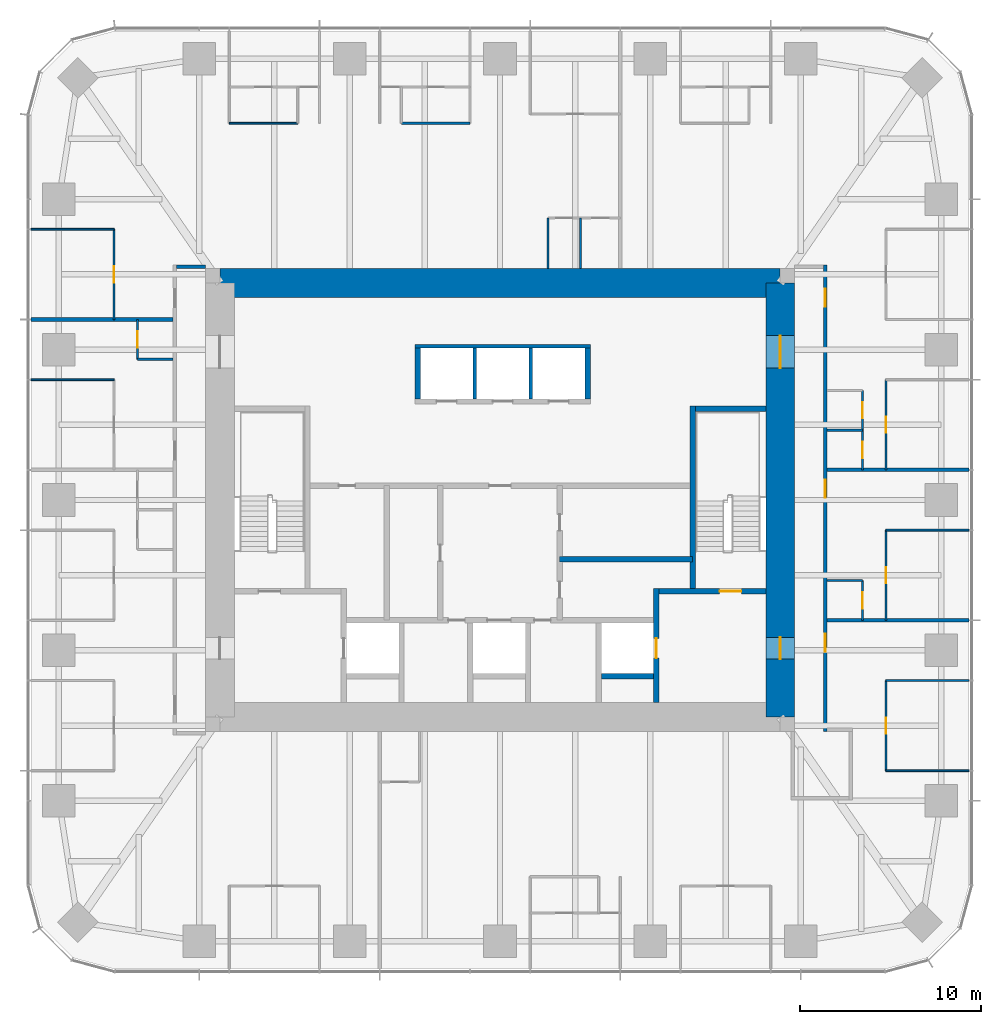
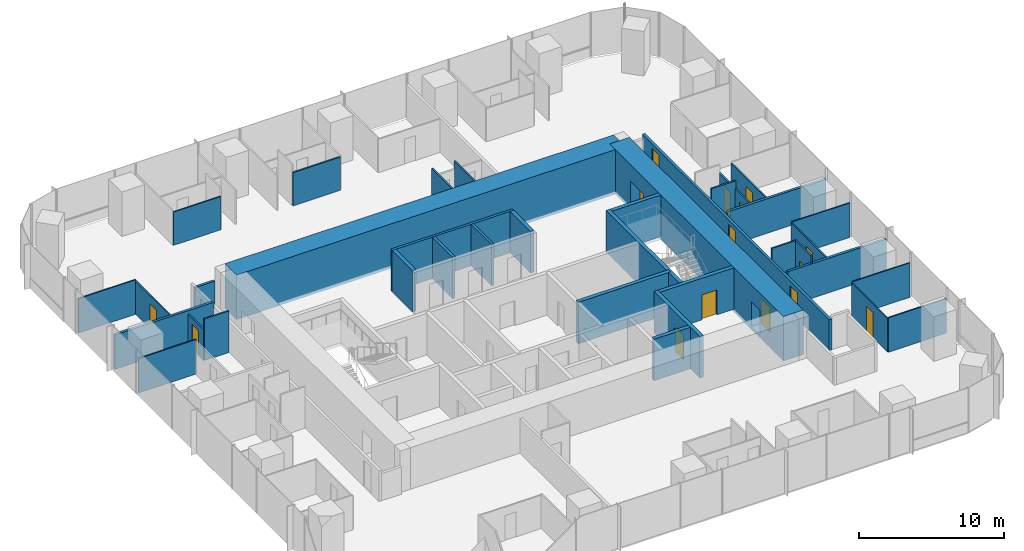
# One storey, part 10 of 12: 37 walls, 15 doors, 15 openings.
"""IFC4 building model written with IfcOpenShell, lengths in metres."""

from ifc_helpers import new_model, si_unit, direction, frame, frame_2d, origin, place, context, subcontext, project, spatial, rectangle, extrude, material, layer, layer_set, type_object, element, fill, save


model = new_model("IFC4")

# Units and contexts
model_context = context("Model", 3, precision=1e-05, world=origin(), true_north=direction((0.0, 1.0)))
body_context = subcontext(model_context, "Body", "Model", "MODEL_VIEW")
ifc_project = project(units=[si_unit("LENGTHUNIT", "METRE"), si_unit("AREAUNIT", "SQUARE_METRE"), si_unit("VOLUMEUNIT", "CUBIC_METRE"), si_unit("PLANEANGLEUNIT", "RADIAN"), si_unit("MASSUNIT", "GRAM", prefix="KILO")], contexts=[model_context])

# Site, building, storey
site_placement = place(None, origin())
site = spatial("IfcSite", under=ifc_project, at=site_placement, CompositionType="ELEMENT")
building_placement = place(site_placement, origin())
building = spatial("IfcBuilding", under=site, at=building_placement, Name="Khuree Lantern Residences", CompositionType="ELEMENT")
storey_placement = place(building_placement, frame((0.0, 0.0, 237.0)))
storey = spatial("IfcBuildingStorey", under=building, at=storey_placement, Name="L59", CompositionType="ELEMENT", Elevation=237.0)

# Wall, opening, door
ifc_material_1 = material(Name="Moisture-resistant gypsum board on steel studs", Category="steel")
ifc_layer_1 = layer(ifc_material_1, 0.125)
ifc_layer_set_1 = layer_set([ifc_layer_1], Name="BATHROOM WALL BTW125")
wall_type_1 = type_object("IfcWallType", Name="BATHROOM WALL BTW125", PredefinedType="PARTITIONING", material=ifc_layer_set_1)
wall_1_placement = place(storey_placement, frame((20.050048828125, -6.656005859375, 0.0), z_axis=(0.0, 0.0, 1.0), x_axis=(0.0, 1.0, 0.0)))
wall_1 = element("IfcWall", 1, at=wall_1_placement, inside=storey, type_object=wall_type_1, Name="L59 BATHROOM WALL 01", PredefinedType="PARTITIONING", context=body_context, shape_type="SweptSolid", body=[
    extrude(rectangle(XDim=2.199951171875, YDim=0.125, at=frame_2d((1.10009765625, 0.0))), origin(), (0.0, 0.0, 1.0), 3.5),
])
opening_1_placement = place(wall_1_placement, frame((0.64990234375, 0.0, 0.0)))
opening_1 = element("IfcOpeningElement", 2, at=opening_1_placement, cuts=wall_1, Name="Opening 59-021", PredefinedType="OPENING", context=body_context, shape_type="SweptSolid", body=[
    extrude(rectangle(XDim=0.89990234375, YDim=2.10009765625, at=frame_2d((0.449951171875, 1.050048828125))), frame((0.0, 0.072509765625, 0.0), z_axis=(0.0, -1.0, 0.0), x_axis=(1.0, 0.0, 0.0)), (0.0, 0.0, 1.0), 0.14501953125),
])
ifc_material_2 = material(Name="Timber door leaf in hardwood frame", Category="wood")
door_type_1 = type_object("IfcDoorType", Name="BATHROOM DOOR 900X2100", OperationType="SINGLE_SWING_LEFT", PredefinedType="DOOR", material=ifc_material_2)
door_1_placement = place(opening_1_placement, origin())
door_1 = element("IfcDoor", 3, at=door_1_placement, inside=storey, type_object=door_type_1, Name="Bathroom door 59-021", OperationType="SINGLE_SWING_LEFT", OverallHeight=2.10009765625, OverallWidth=0.89990234375, PredefinedType="DOOR", context=body_context, shape_type="SweptSolid", body=[
    extrude(rectangle(XDim=0.89990234375, YDim=2.10009765625, at=frame_2d((0.449951171875, 1.050048828125))), frame((0.0, 0.02490234375, 0.0), z_axis=(0.0, -1.0, 0.0), x_axis=(1.0, 0.0, 0.0)), (0.0, 0.0, 1.0), 0.050048828125),
])
fill(opening_1, door_1)

# Wall
wall_2_placement = place(storey_placement, frame((18.10009765625, -4.4560546875, 0.0), z_axis=(0.0, 0.0, 1.0), x_axis=(1.0, 0.0, 0.0)))
element("IfcWall", 4, at=wall_2_placement, inside=storey, type_object=wall_type_1, Name="L59 BATHROOM WALL 01", PredefinedType="PARTITIONING", context=body_context, shape_type="SweptSolid", body=[
    extrude(rectangle(XDim=1.949951171875, YDim=0.125, at=frame_2d((0.97509765625, 0.0))), origin(), (0.0, 0.0, 1.0), 3.5),
])

# Wall, openings, doors
wall_3_placement = place(storey_placement, frame((20.050048828125, 1.6640625, 0.0), z_axis=(0.0, 0.0, 1.0), x_axis=(0.0, 1.0, 0.0)))
wall_3 = element("IfcWall", 5, at=wall_3_placement, inside=storey, type_object=wall_type_1, Name="L59 BATHROOM WALL 02", PredefinedType="PARTITIONING", context=body_context, shape_type="SweptSolid", body=[
    extrude(rectangle(XDim=4.39990234375, YDim=0.125, at=frame_2d((2.199951171875, 0.0))), origin(), (0.0, 0.0, 1.0), 2.81005859375),
])
opening_2_placement = place(wall_3_placement, frame((0.64990234375, 0.0, 0.0)))
opening_2 = element("IfcOpeningElement", 6, at=opening_2_placement, cuts=wall_3, Name="Opening 59-027", PredefinedType="OPENING", context=body_context, shape_type="SweptSolid", body=[
    extrude(rectangle(XDim=0.89990234375, YDim=2.10009765625, at=frame_2d((0.449951171875, 1.050048828125))), frame((0.0, 0.072509765625, 0.0), z_axis=(0.0, -1.0, 0.0), x_axis=(1.0, 0.0, 0.0)), (0.0, 0.0, 1.0), 0.14501953125),
])
opening_3_placement = place(wall_3_placement, frame((2.85009765625, 0.0, 0.0)))
opening_3 = element("IfcOpeningElement", 7, at=opening_3_placement, cuts=wall_3, Name="Opening 59-028", PredefinedType="OPENING", context=body_context, shape_type="SweptSolid", body=[
    extrude(rectangle(XDim=0.89990234375, YDim=2.10009765625, at=frame_2d((0.449951171875, 1.050048828125))), frame((0.0, 0.072509765625, 0.0), z_axis=(0.0, -1.0, 0.0), x_axis=(1.0, 0.0, 0.0)), (0.0, 0.0, 1.0), 0.14501953125),
])
door_2_placement = place(opening_2_placement, origin())
door_2 = element("IfcDoor", 8, at=door_2_placement, inside=storey, type_object=door_type_1, Name="Bathroom door 59-027", OperationType="SINGLE_SWING_LEFT", OverallHeight=2.10009765625, OverallWidth=0.89990234375, PredefinedType="DOOR", context=body_context, shape_type="SweptSolid", body=[
    extrude(rectangle(XDim=0.89990234375, YDim=2.10009765625, at=frame_2d((0.449951171875, 1.050048828125))), frame((0.0, 0.02490234375, 0.0), z_axis=(0.0, -1.0, 0.0), x_axis=(1.0, 0.0, 0.0)), (0.0, 0.0, 1.0), 0.050048828125),
])
fill(opening_2, door_2)
door_3_placement = place(opening_3_placement, origin())
door_3 = element("IfcDoor", 9, at=door_3_placement, inside=storey, type_object=door_type_1, Name="Bathroom door 59-028", OperationType="SINGLE_SWING_LEFT", OverallHeight=2.10009765625, OverallWidth=0.89990234375, PredefinedType="DOOR", context=body_context, shape_type="SweptSolid", body=[
    extrude(rectangle(XDim=0.89990234375, YDim=2.10009765625, at=frame_2d((0.449951171875, 1.050048828125))), frame((0.0, 0.02490234375, 0.0), z_axis=(0.0, -1.0, 0.0), x_axis=(1.0, 0.0, 0.0)), (0.0, 0.0, 1.0), 0.050048828125),
])
fill(opening_3, door_3)

# Walls
wall_4_placement = place(storey_placement, frame((18.10009765625, 3.864013671875, 0.0), z_axis=(0.0, 0.0, 1.0), x_axis=(1.0, 0.0, 0.0)))
element("IfcWall", 10, at=wall_4_placement, inside=storey, type_object=wall_type_1, Name="L59 BATHROOM WALL 02", PredefinedType="PARTITIONING", context=body_context, shape_type="SweptSolid", body=[
    extrude(rectangle(XDim=1.949951171875, YDim=0.125, at=frame_2d((0.97509765625, 0.0))), origin(), (0.0, 0.0, 1.0), 3.5),
])
wall_5_placement = place(storey_placement, frame((-1.6640625, 20.844970703125, 0.0), z_axis=(0.0, 0.0, 1.0), x_axis=(-1.0, 0.0, 0.0)))
element("IfcWall", 11, at=wall_5_placement, inside=storey, type_object=wall_type_1, Name="L59 BATHROOM WALL 03", PredefinedType="PARTITIONING", context=body_context, shape_type="SweptSolid", body=[
    extrude(rectangle(XDim=3.7919921875, YDim=0.125, at=frame_2d((1.89599609375, 0.0))), origin(), (0.0, 0.0, 1.0), 2.81005859375),
])
for number, where, z_axis, x_axis, name in (
    (12, (4.4560546875, 12.800048828125, 0.0), (0.0, 0.0, 1.0), (0.0, 1.0, 0.0), "L59 BATHROOM WALL 03"),
    (13, (2.656005859375, 12.800048828125, 0.0), (0.0, 0.0, 1.0), (0.0, 1.0, 0.0), "L59 BATHROOM WALL 03"),
):
    element("IfcWall", number, at=place(storey_placement, frame(where, z_axis=z_axis, x_axis=x_axis)), inside=storey, type_object=wall_type_1, Name=name, PredefinedType="PARTITIONING", context=body_context, shape_type="SweptSolid", body=[
        extrude(rectangle(XDim=2.800048828125, YDim=0.125, at=frame_2d((1.39990234375, 0.0))), origin(), (0.0, 0.0, 1.0), 3.5),
    ])

# Wall, opening, door
wall_6_placement = place(storey_placement, frame((-20.050048828125, 9.98388671875, 0.0), z_axis=(0.0, 0.0, 1.0), x_axis=(0.0, -1.0, 0.0)))
wall_6 = element("IfcWall", 14, at=wall_6_placement, inside=storey, type_object=wall_type_1, Name="L59 BATHROOM WALL 04", PredefinedType="PARTITIONING", context=body_context, shape_type="SweptSolid", body=[
    extrude(rectangle(XDim=2.199951171875, YDim=0.125, at=frame_2d((1.10009765625, 0.0))), origin(), (0.0, 0.0, 1.0), 2.60009765625),
])
opening_4_placement = place(wall_6_placement, frame((0.64990234375, 0.0, 0.0)))
opening_4 = element("IfcOpeningElement", 15, at=opening_4_placement, cuts=wall_6, Name="Opening 59-040", PredefinedType="OPENING", context=body_context, shape_type="SweptSolid", body=[
    extrude(rectangle(XDim=0.89990234375, YDim=2.10009765625, at=frame_2d((0.449951171875, 1.050048828125))), frame((0.0, 0.072509765625, 0.0), z_axis=(0.0, -1.0, 0.0), x_axis=(1.0, 0.0, 0.0)), (0.0, 0.0, 1.0), 0.14501953125),
])
door_4_placement = place(opening_4_placement, origin())
door_4 = element("IfcDoor", 16, at=door_4_placement, inside=storey, type_object=door_type_1, Name="Bathroom door 59-040", OperationType="SINGLE_SWING_LEFT", OverallHeight=2.10009765625, OverallWidth=0.89990234375, PredefinedType="DOOR", context=body_context, shape_type="SweptSolid", body=[
    extrude(rectangle(XDim=0.89990234375, YDim=2.10009765625, at=frame_2d((0.449951171875, 1.050048828125))), frame((0.0, 0.02490234375, 0.0), z_axis=(0.0, -1.0, 0.0), x_axis=(1.0, 0.0, 0.0)), (0.0, 0.0, 1.0), 0.050048828125),
])
fill(opening_4, door_4)

# Wall
wall_7_placement = place(storey_placement, frame((-18.10009765625, 7.783935546875, 0.0), z_axis=(0.0, 0.0, 1.0), x_axis=(-1.0, 0.0, 0.0)))
element("IfcWall", 17, at=wall_7_placement, inside=storey, type_object=wall_type_1, Name="L59 BATHROOM WALL 04", PredefinedType="PARTITIONING", context=body_context, shape_type="SweptSolid", body=[
    extrude(rectangle(XDim=1.949951171875, YDim=0.125, at=frame_2d((0.97509765625, 0.0))), origin(), (0.0, 0.0, 1.0), 3.5),
])

# Wall, opening, door
ifc_material_3 = material(Name="Dense concrete blockwork", Category="masonry")
ifc_layer_2 = layer(ifc_material_3, 0.300048828125)
ifc_layer_set_2 = layer_set([ifc_layer_2], Name="CORE PARTITION WALL CPW300 EI 120")
wall_type_2 = type_object("IfcWallType", Name="CORE PARTITION WALL CPW300 EI 120", PredefinedType="PARTITIONING", material=ifc_layer_set_2)
wall_8_placement = place(storey_placement, frame((8.64990234375, -11.199951171875, 0.0), z_axis=(0.0, 0.0, 1.0), x_axis=(0.0, 1.0, 0.0)))
wall_8 = element("IfcWall", 18, at=wall_8_placement, inside=storey, type_object=wall_type_2, Name="L59 CORE WALL FL2E", PredefinedType="PARTITIONING", context=body_context, shape_type="SweptSolid", body=[
    extrude(rectangle(XDim=6.300048828125, YDim=0.300048828125, at=frame_2d((3.14990234375, 0.0))), origin(), (0.0, 0.0, 1.0), 3.5),
])
opening_5_placement = place(wall_8_placement, frame((2.449951171875, 0.0, 0.0)))
opening_5 = element("IfcOpeningElement", 19, at=opening_5_placement, cuts=wall_8, Name="Opening 59-008", PredefinedType="OPENING", context=body_context, shape_type="SweptSolid", body=[
    extrude(rectangle(XDim=1.10009765625, YDim=2.10009765625, at=frame_2d((0.550048828125, 1.050048828125))), frame((0.0, 0.16015625, 0.0), z_axis=(0.0, -1.0, 0.0), x_axis=(1.0, 0.0, 0.0)), (0.0, 0.0, 1.0), 0.320068359375),
])
ifc_material_4 = material(Name="Stainless steel lift landing door", Category="steel")
door_type_2 = type_object("IfcDoorType", Name="LIFT LANDING DOOR 1100X2100 E 120", OperationType="DOUBLE_DOOR_SLIDING", PredefinedType="DOOR", material=ifc_material_4)
door_5_placement = place(opening_5_placement, origin())
door_5 = element("IfcDoor", 20, at=door_5_placement, inside=storey, type_object=door_type_2, Name="Landing door FL2 59-008", OperationType="DOUBLE_DOOR_SLIDING", OverallHeight=2.10009765625, OverallWidth=1.10009765625, PredefinedType="DOOR", context=body_context, shape_type="SweptSolid", body=[
    extrude(rectangle(XDim=1.10009765625, YDim=2.10009765625, at=frame_2d((0.550048828125, 1.050048828125))), frame((0.0, 0.02490234375, 0.0), z_axis=(0.0, -1.0, 0.0), x_axis=(1.0, 0.0, 0.0)), (0.0, 0.0, 1.0), 0.050048828125),
])
fill(opening_5, door_5)

# Walls
wall_9_placement = place(storey_placement, frame((5.60009765625, -9.75, 0.0), z_axis=(0.0, 0.0, 1.0), x_axis=(1.0, 0.0, 0.0)))
element("IfcWall", 21, at=wall_9_placement, inside=storey, type_object=wall_type_2, Name="L59 CORE WALL FL2S", PredefinedType="PARTITIONING", context=body_context, shape_type="SweptSolid", body=[
    extrude(rectangle(XDim=2.89990234375, YDim=0.300048828125, at=frame_2d((1.449951171875, 0.0))), origin(), (0.0, 0.0, 1.0), 3.5),
])
for number, where, z_axis, x_axis, name in (
    (22, (-4.550048828125, 5.60009765625, 0.0), (0.0, 0.0, 1.0), (0.0, 1.0, 0.0), "L59 CORE WALL PHW"),
    (23, (4.85009765625, 5.60009765625, 0.0), (0.0, 0.0, 1.0), (0.0, 1.0, 0.0), "L59 CORE WALL PHE"),
):
    element("IfcWall", number, at=place(storey_placement, frame(where, z_axis=z_axis, x_axis=x_axis)), inside=storey, type_object=wall_type_2, Name=name, PredefinedType="PARTITIONING", context=body_context, shape_type="SweptSolid", body=[
        extrude(rectangle(XDim=2.7998046875, YDim=0.300048828125, at=frame_2d((1.39990234375, 0.0))), origin(), (0.0, 0.0, 1.0), 3.5),
    ])
wall_10_placement = place(storey_placement, frame((10.64990234375, -3.2880859375, 0.0), z_axis=(0.0, 0.0, 1.0), x_axis=(-1.0, 0.0, 0.0)))
element("IfcWall", 24, at=wall_10_placement, inside=storey, type_object=wall_type_2, Name="L59 CORE WALL EX", PredefinedType="PARTITIONING", context=body_context, shape_type="SweptSolid", body=[
    extrude(rectangle(XDim=7.349853515625, YDim=0.300048828125, at=frame_2d((3.6748046875, 0.0))), origin(), (0.0, 0.0, 1.0), 3.5),
])
ifc_material_5 = material(Name="Gypsum board on steel studs", Category="steel")
ifc_layer_3 = layer(ifc_material_5, 0.199951171875)
ifc_layer_set_3 = layer_set([ifc_layer_3], Name="CORRIDOR WALL CRW200 EI 60")
wall_type_3 = type_object("IfcWallType", Name="CORRIDOR WALL CRW200 EI 60", PredefinedType="PARTITIONING", material=ifc_layer_set_3)
wall_11_placement = place(storey_placement, frame((-16.300048828125, 12.89990234375, 0.0), z_axis=(0.0, 0.0, 1.0), x_axis=(-1.0, 0.0, 0.0)))
element("IfcWall", 25, at=wall_11_placement, inside=storey, type_object=wall_type_3, Name="L59 WEST CORRIDOR NORTH END WALL", PredefinedType="PARTITIONING", context=body_context, shape_type="SweptSolid", body=[
    extrude(rectangle(XDim=1.599853515625, YDim=0.199951171875, at=frame_2d((0.7998046875, 0.0))), origin(), (0.0, 0.0, 1.0), 2.300048828125),
])

# Wall, openings, doors
wall_12_placement = place(storey_placement, frame((18.0, -12.800048828125, 0.0), z_axis=(0.0, 0.0, 1.0), x_axis=(0.0, 1.0, 0.0)))
wall_12 = element("IfcWall", 26, at=wall_12_placement, inside=storey, type_object=wall_type_3, Name="L59 CORRIDOR WALL EAST 1", PredefinedType="PARTITIONING", context=body_context, shape_type="SweptSolid", body=[
    extrude(rectangle(XDim=25.800048828125, YDim=0.199951171875, at=frame_2d((12.89990234375, 0.0))), origin(), (0.0, 0.0, 1.0), 2.60009765625),
])
opening_6_placement = place(wall_12_placement, frame((12.9140625, 0.0, 0.0)))
opening_6 = element("IfcOpeningElement", 27, at=opening_6_placement, cuts=wall_12, Name="Opening 59-022", PredefinedType="OPENING", context=body_context, shape_type="SweptSolid", body=[
    extrude(rectangle(XDim=1.0, YDim=2.199951171875, at=frame_2d((0.5, 1.10009765625))), frame((0.0, 0.10986328125, 0.0), z_axis=(0.0, -1.0, 0.0), x_axis=(1.0, 0.0, 0.0)), (0.0, 0.0, 1.0), 0.219970703125),
])
opening_7_placement = place(wall_12_placement, frame((23.48388671875, 0.0, 0.0)))
opening_7 = element("IfcOpeningElement", 28, at=opening_7_placement, cuts=wall_12, Name="Opening 59-029", PredefinedType="OPENING", context=body_context, shape_type="SweptSolid", body=[
    extrude(rectangle(XDim=1.0, YDim=2.199951171875, at=frame_2d((0.5, 1.10009765625))), frame((0.0, 0.10986328125, 0.0), z_axis=(0.0, -1.0, 0.0), x_axis=(1.0, 0.0, 0.0)), (0.0, 0.0, 1.0), 0.219970703125),
])
opening_8_placement = place(wall_12_placement, frame((4.39990234375, 0.0, 0.0)))
opening_8 = element("IfcOpeningElement", 29, at=opening_8_placement, cuts=wall_12, Name="Opening 59-053", PredefinedType="OPENING", context=body_context, shape_type="SweptSolid", body=[
    extrude(rectangle(XDim=1.0, YDim=2.199951171875, at=frame_2d((0.5, 1.10009765625))), frame((0.0, 0.10986328125, 0.0), z_axis=(0.0, -1.0, 0.0), x_axis=(1.0, 0.0, 0.0)), (0.0, 0.0, 1.0), 0.219970703125),
])
door_type_3 = type_object("IfcDoorType", Name="APARTMENT ENTRANCE DOOR 1000X2200 EI 30S", OperationType="SINGLE_SWING_LEFT", PredefinedType="DOOR", material=ifc_material_2)
door_6_placement = place(opening_6_placement, origin())
door_6 = element("IfcDoor", 30, at=door_6_placement, inside=storey, type_object=door_type_3, Name="Apartment 01 entrance door 59-022", OperationType="SINGLE_SWING_LEFT", OverallHeight=2.199951171875, OverallWidth=1.0, PredefinedType="DOOR", context=body_context, shape_type="SweptSolid", body=[
    extrude(rectangle(XDim=1.0, YDim=2.199951171875, at=frame_2d((0.5, 1.10009765625))), frame((0.0, 0.02490234375, 0.0), z_axis=(0.0, -1.0, 0.0), x_axis=(1.0, 0.0, 0.0)), (0.0, 0.0, 1.0), 0.050048828125),
])
fill(opening_6, door_6)
door_7_placement = place(opening_8_placement, origin())
door_7 = element("IfcDoor", 31, at=door_7_placement, inside=storey, type_object=door_type_3, Name="Apartment 06 entrance door 59-053", OperationType="SINGLE_SWING_LEFT", OverallHeight=2.199951171875, OverallWidth=1.0, PredefinedType="DOOR", context=body_context, shape_type="SweptSolid", body=[
    extrude(rectangle(XDim=1.0, YDim=2.199951171875, at=frame_2d((0.5, 1.10009765625))), frame((0.0, 0.02490234375, 0.0), z_axis=(0.0, -1.0, 0.0), x_axis=(1.0, 0.0, 0.0)), (0.0, 0.0, 1.0), 0.050048828125),
])
fill(opening_8, door_7)
door_type_4 = type_object("IfcDoorType", Name="APARTMENT ENTRANCE DOOR 1000X2200 EI 30S RIGHT HAND", OperationType="SINGLE_SWING_RIGHT", PredefinedType="DOOR", material=ifc_material_2)
door_8_placement = place(opening_7_placement, origin())
door_8 = element("IfcDoor", 32, at=door_8_placement, inside=storey, type_object=door_type_4, Name="Apartment 02 entrance door 59-029", OperationType="SINGLE_SWING_RIGHT", OverallHeight=2.199951171875, OverallWidth=1.0, PredefinedType="DOOR", context=body_context, shape_type="SweptSolid", body=[
    extrude(rectangle(XDim=1.0, YDim=2.199951171875, at=frame_2d((0.5, 1.10009765625))), frame((0.0, 0.02490234375, 0.0), z_axis=(0.0, -1.0, 0.0), x_axis=(1.0, 0.0, 0.0)), (0.0, 0.0, 1.0), 0.050048828125),
])
fill(opening_7, door_8)

ifc_material_6 = material(Name="Concrete C50/60", Category="concrete")
ifc_layer_4 = layer(ifc_material_6, 1.60009765625)
ifc_layer_set_4 = layer_set([ifc_layer_4], Name="CW1600-C50 CORE WALL C50 1600")
wall_type_4 = type_object("IfcWallType", Name="CW1600-C50 CORE WALL C50 1600", PredefinedType="SHEAR", material=ifc_layer_set_4)
wall_13_placement = place(storey_placement, frame((15.5, -12.0, -0.25), z_axis=(0.0, 0.0, 1.0), x_axis=(0.0, 1.0, 0.0)))
wall_13 = element("IfcWall", 33, at=wall_13_placement, inside=storey, type_object=wall_type_4, Name="Core wall E", PredefinedType="SHEAR", context=body_context, shape_type="SweptSolid", body=[
    extrude(rectangle(XDim=24.0, YDim=1.60009765625, at=frame_2d((12.0, 0.0))), origin(), (0.0, 0.0, 1.0), 3.75),
])
opening_9_placement = place(wall_13_placement, frame((3.199951171875, 0.0, 0.25)))
opening_9 = element("IfcOpeningElement", 34, at=opening_9_placement, cuts=wall_13, Name="Opening 59-005", PredefinedType="OPENING", context=body_context, shape_type="SweptSolid", body=[
    extrude(rectangle(XDim=1.199951171875, YDim=2.10009765625, at=frame_2d((0.60009765625, 1.050048828125))), frame((0.0, 0.81005859375, 0.0), z_axis=(0.0, -1.0, 0.0), x_axis=(1.0, 0.0, 0.0)), (0.0, 0.0, 1.0), 1.6201171875),
])
opening_10_placement = place(wall_13_placement, frame((19.300048828125, 0.0, 0.25)))
opening_10 = element("IfcOpeningElement", 35, at=opening_10_placement, cuts=wall_13, Name="Opening 59-006", PredefinedType="OPENING", context=body_context, shape_type="SweptSolid", body=[
    extrude(rectangle(XDim=1.800048828125, YDim=2.10009765625, at=frame_2d((0.89990234375, 1.050048828125))), frame((0.0, 0.81005859375, 0.0), z_axis=(0.0, -1.0, 0.0), x_axis=(1.0, 0.0, 0.0)), (0.0, 0.0, 1.0), 1.6201171875),
])
ifc_material_7 = material(Name="Steel door leaf in steel frame", Category="steel")
door_type_5 = type_object("IfcDoorType", Name="LOBBY DOOR 1200X2100 EI 120", OperationType="SINGLE_SWING_LEFT", PredefinedType="DOOR", material=ifc_material_7)
door_9_placement = place(opening_9_placement, origin())
door_9 = element("IfcDoor", 36, at=door_9_placement, inside=storey, type_object=door_type_5, Name="Firefighting lobby door 59-005", OperationType="SINGLE_SWING_LEFT", OverallHeight=2.10009765625, OverallWidth=1.199951171875, PredefinedType="DOOR", context=body_context, shape_type="SweptSolid", body=[
    extrude(rectangle(XDim=1.199951171875, YDim=2.10009765625, at=frame_2d((0.60009765625, 1.050048828125))), frame((0.0, 0.02490234375, 0.0), z_axis=(0.0, -1.0, 0.0), x_axis=(1.0, 0.0, 0.0)), (0.0, 0.0, 1.0), 0.050048828125),
])
fill(opening_9, door_9)
door_type_6 = type_object("IfcDoorType", Name="LOBBY DOUBLE DOOR 1800X2100 EI 60", OperationType="DOUBLE_DOOR_SINGLE_SWING", PredefinedType="DOOR", material=ifc_material_7)
door_10_placement = place(opening_10_placement, origin())
door_10 = element("IfcDoor", 37, at=door_10_placement, inside=storey, type_object=door_type_6, Name="Lift lobby door 59-006", OperationType="DOUBLE_DOOR_SINGLE_SWING", OverallHeight=2.10009765625, OverallWidth=1.800048828125, PredefinedType="DOOR", context=body_context, shape_type="SweptSolid", body=[
    extrude(rectangle(XDim=1.800048828125, YDim=2.10009765625, at=frame_2d((0.89990234375, 1.050048828125))), frame((0.0, 0.02490234375, 0.0), z_axis=(0.0, -1.0, 0.0), x_axis=(1.0, 0.0, 0.0)), (0.0, 0.0, 1.0), 0.050048828125),
])
fill(opening_10, door_10)

# Walls
wall_14_placement = place(storey_placement, frame((-15.5, 12.0, -0.25), z_axis=(0.0, 0.0, 1.0), x_axis=(1.0, 0.0, 0.0)))
element("IfcWall", 38, at=wall_14_placement, inside=storey, type_object=wall_type_4, Name="Core wall N", PredefinedType="SHEAR", context=body_context, shape_type="SweptSolid", body=[
    extrude(rectangle(XDim=31.0, YDim=1.60009765625, at=frame_2d((15.5, 0.0))), origin(), (0.0, 0.0, 1.0), 3.75),
])
ifc_layer_5 = layer(ifc_material_5, 0.199951171875)
ifc_layer_set_5 = layer_set([ifc_layer_5], Name="DEMISING WALL DMW200 EI 90")
wall_type_5 = type_object("IfcWallType", Name="DEMISING WALL DMW200 EI 90", PredefinedType="PARTITIONING", material=ifc_layer_set_5)
for number, where, z_axis, x_axis, name in (
    (39, (18.10009765625, -6.656005859375, 0.0), (0.0, 0.0, 1.0), (1.0, 0.0, 0.0), "L59 DEMISING WALL 01"),
    (40, (18.10009765625, 1.6640625, 0.0), (0.0, 0.0, 1.0), (1.0, 0.0, 0.0), "L59 DEMISING WALL 02"),
    (41, (-18.10009765625, 9.98388671875, 0.0), (0.0, 0.0, 1.0), (-1.0, 0.0, 0.0), "L59 DEMISING WALL 04"),
):
    element("IfcWall", number, at=place(storey_placement, frame(where, z_axis=z_axis, x_axis=x_axis)), inside=storey, type_object=wall_type_5, Name=name, PredefinedType="PARTITIONING", context=body_context, shape_type="SweptSolid", body=[
        extrude(rectangle(XDim=7.849853515625, YDim=0.199951171875, at=frame_2d((3.9248046875, 0.0))), origin(), (0.0, 0.0, 1.0), 2.909912109375),
    ])
ifc_layer_6 = layer(ifc_material_5, 0.10009765625)
ifc_layer_set_6 = layer_set([ifc_layer_6], Name="PARTITION PT100")
wall_type_6 = type_object("IfcWallType", Name="PARTITION PT100", PredefinedType="PARTITIONING", material=ifc_layer_set_6)
for number, where, z_axis, x_axis, name in (
    (42, (21.35009765625, -1.6640625, 0.0), (0.0, 0.0, 1.0), (1.0, 0.0, 0.0), "L59 PARTITION 01"),
    (43, (-21.35009765625, 14.97607421875, 0.0), (0.0, 0.0, 1.0), (-1.0, 0.0, 0.0), "L59 PARTITION 03"),
    (44, (-21.35009765625, 6.656005859375, 0.0), (0.0, 0.0, 1.0), (-1.0, 0.0, 0.0), "L59 PARTITION 04"),
    (45, (21.35009765625, -14.97607421875, 0.0), (0.0, 0.0, 1.0), (1.0, 0.0, 0.0), "L59 PARTITION 06"),
    (46, (21.35009765625, -9.98388671875, 0.0), (0.0, 0.0, 1.0), (1.0, 0.0, 0.0), "L59 PARTITION 06"),
):
    element("IfcWall", number, at=place(storey_placement, frame(where, z_axis=z_axis, x_axis=x_axis)), inside=storey, type_object=wall_type_6, Name=name, PredefinedType="PARTITIONING", context=body_context, shape_type="SweptSolid", body=[
        extrude(rectangle(XDim=4.599853515625, YDim=0.10009765625, at=frame_2d((2.2998046875, 0.0))), origin(), (0.0, 0.0, 1.0), 2.909912109375),
    ])

# Wall, opening, door
wall_15_placement = place(storey_placement, frame((21.35009765625, -6.656005859375, 0.0), z_axis=(0.0, 0.0, 1.0), x_axis=(0.0, 1.0, 0.0)))
wall_15 = element("IfcWall", 47, at=wall_15_placement, inside=storey, type_object=wall_type_6, Name="L59 PARTITION 01", PredefinedType="PARTITIONING", context=body_context, shape_type="SweptSolid", body=[
    extrude(rectangle(XDim=4.991943359375, YDim=0.10009765625, at=frame_2d((2.49609375, 0.0))), origin(), (0.0, 0.0, 1.0), 2.81005859375),
])
opening_11_placement = place(wall_15_placement, frame((2.0458984375, 0.0, 0.0)))
opening_11 = element("IfcOpeningElement", 48, at=opening_11_placement, cuts=wall_15, Name="Opening 59-020", PredefinedType="OPENING", context=body_context, shape_type="SweptSolid", body=[
    extrude(rectangle(XDim=0.89990234375, YDim=2.10009765625, at=frame_2d((0.449951171875, 1.050048828125))), frame((0.0, 0.06005859375, 0.0), z_axis=(0.0, -1.0, 0.0), x_axis=(1.0, 0.0, 0.0)), (0.0, 0.0, 1.0), 0.1201171875),
])
door_type_7 = type_object("IfcDoorType", Name="BEDROOM DOOR 900X2100", OperationType="SINGLE_SWING_LEFT", PredefinedType="DOOR", material=ifc_material_2)
door_11_placement = place(opening_11_placement, origin())
door_11 = element("IfcDoor", 49, at=door_11_placement, inside=storey, type_object=door_type_7, Name="Bedroom door 59-020", OperationType="SINGLE_SWING_LEFT", OverallHeight=2.10009765625, OverallWidth=0.89990234375, PredefinedType="DOOR", context=body_context, shape_type="SweptSolid", body=[
    extrude(rectangle(XDim=0.89990234375, YDim=2.10009765625, at=frame_2d((0.449951171875, 1.050048828125))), frame((0.0, 0.02490234375, 0.0), z_axis=(0.0, -1.0, 0.0), x_axis=(1.0, 0.0, 0.0)), (0.0, 0.0, 1.0), 0.050048828125),
])
fill(opening_11, door_11)

wall_16_placement = place(storey_placement, frame((21.35009765625, 1.6640625, 0.0), z_axis=(0.0, 0.0, 1.0), x_axis=(0.0, 1.0, 0.0)))
wall_16 = element("IfcWall", 50, at=wall_16_placement, inside=storey, type_object=wall_type_6, Name="L59 PARTITION 02", PredefinedType="PARTITIONING", context=body_context, shape_type="SweptSolid", body=[
    extrude(rectangle(XDim=4.991943359375, YDim=0.10009765625, at=frame_2d((2.49609375, 0.0))), origin(), (0.0, 0.0, 1.0), 2.81005859375),
])
opening_12_placement = place(wall_16_placement, frame((2.0458984375, 0.0, 0.0)))
opening_12 = element("IfcOpeningElement", 51, at=opening_12_placement, cuts=wall_16, Name="Opening 59-023", PredefinedType="OPENING", context=body_context, shape_type="SweptSolid", body=[
    extrude(rectangle(XDim=0.89990234375, YDim=2.10009765625, at=frame_2d((0.449951171875, 1.050048828125))), frame((0.0, 0.06005859375, 0.0), z_axis=(0.0, -1.0, 0.0), x_axis=(1.0, 0.0, 0.0)), (0.0, 0.0, 1.0), 0.1201171875),
])
door_12_placement = place(opening_12_placement, origin())
door_12 = element("IfcDoor", 52, at=door_12_placement, inside=storey, type_object=door_type_7, Name="Bedroom door 59-023", OperationType="SINGLE_SWING_LEFT", OverallHeight=2.10009765625, OverallWidth=0.89990234375, PredefinedType="DOOR", context=body_context, shape_type="SweptSolid", body=[
    extrude(rectangle(XDim=0.89990234375, YDim=2.10009765625, at=frame_2d((0.449951171875, 1.050048828125))), frame((0.0, 0.02490234375, 0.0), z_axis=(0.0, -1.0, 0.0), x_axis=(1.0, 0.0, 0.0)), (0.0, 0.0, 1.0), 0.050048828125),
])
fill(opening_12, door_12)

# Wall
wall_17_placement = place(storey_placement, frame((-11.18408203125, 20.844970703125, 0.0), z_axis=(0.0, 0.0, 1.0), x_axis=(-1.0, 0.0, 0.0)))
element("IfcWall", 53, at=wall_17_placement, inside=storey, type_object=wall_type_6, Name="L59 PARTITION 03", PredefinedType="PARTITIONING", context=body_context, shape_type="SweptSolid", body=[
    extrude(rectangle(XDim=3.7919921875, YDim=0.10009765625, at=frame_2d((1.89599609375, 0.0))), origin(), (0.0, 0.0, 1.0), 2.81005859375),
])

# Wall, opening, door
wall_18_placement = place(storey_placement, frame((-21.35009765625, 14.97607421875, 0.0), z_axis=(0.0, 0.0, 1.0), x_axis=(0.0, -1.0, 0.0)))
wall_18 = element("IfcWall", 54, at=wall_18_placement, inside=storey, type_object=wall_type_6, Name="L59 PARTITION 03", PredefinedType="PARTITIONING", context=body_context, shape_type="SweptSolid", body=[
    extrude(rectangle(XDim=4.9921875, YDim=0.10009765625, at=frame_2d((2.49609375, 0.0))), origin(), (0.0, 0.0, 1.0), 2.81005859375),
])
opening_13_placement = place(wall_18_placement, frame((2.0458984375, 0.0, 0.0)))
opening_13 = element("IfcOpeningElement", 55, at=opening_13_placement, cuts=wall_18, Name="Opening 59-035", PredefinedType="OPENING", context=body_context, shape_type="SweptSolid", body=[
    extrude(rectangle(XDim=0.89990234375, YDim=2.10009765625, at=frame_2d((0.449951171875, 1.050048828125))), frame((0.0, 0.06005859375, 0.0), z_axis=(0.0, -1.0, 0.0), x_axis=(1.0, 0.0, 0.0)), (0.0, 0.0, 1.0), 0.1201171875),
])
door_type_8 = type_object("IfcDoorType", Name="BEDROOM DOOR 900X2100 RIGHT HAND", OperationType="SINGLE_SWING_RIGHT", PredefinedType="DOOR", material=ifc_material_2)
door_13_placement = place(opening_13_placement, origin())
door_13 = element("IfcDoor", 56, at=door_13_placement, inside=storey, type_object=door_type_8, Name="Bedroom door 59-035", OperationType="SINGLE_SWING_RIGHT", OverallHeight=2.10009765625, OverallWidth=0.89990234375, PredefinedType="DOOR", context=body_context, shape_type="SweptSolid", body=[
    extrude(rectangle(XDim=0.89990234375, YDim=2.10009765625, at=frame_2d((0.449951171875, 1.050048828125))), frame((0.0, 0.02490234375, 0.0), z_axis=(0.0, -1.0, 0.0), x_axis=(1.0, 0.0, 0.0)), (0.0, 0.0, 1.0), 0.050048828125),
])
fill(opening_13, door_13)

wall_19_placement = place(storey_placement, frame((21.35009765625, -14.97607421875, 0.0), z_axis=(0.0, 0.0, 1.0), x_axis=(0.0, 1.0, 0.0)))
wall_19 = element("IfcWall", 57, at=wall_19_placement, inside=storey, type_object=wall_type_6, Name="L59 PARTITION 06", PredefinedType="PARTITIONING", context=body_context, shape_type="SweptSolid", body=[
    extrude(rectangle(XDim=4.9921875, YDim=0.10009765625, at=frame_2d((2.49609375, 0.0))), origin(), (0.0, 0.0, 1.0), 2.81005859375),
])
opening_14_placement = place(wall_19_placement, frame((2.0458984375, 0.0, 0.0)))
opening_14 = element("IfcOpeningElement", 58, at=opening_14_placement, cuts=wall_19, Name="Opening 59-051", PredefinedType="OPENING", context=body_context, shape_type="SweptSolid", body=[
    extrude(rectangle(XDim=0.89990234375, YDim=2.10009765625, at=frame_2d((0.449951171875, 1.050048828125))), frame((0.0, 0.06005859375, 0.0), z_axis=(0.0, -1.0, 0.0), x_axis=(1.0, 0.0, 0.0)), (0.0, 0.0, 1.0), 0.1201171875),
])
door_14_placement = place(opening_14_placement, origin())
door_14 = element("IfcDoor", 59, at=door_14_placement, inside=storey, type_object=door_type_7, Name="Bedroom door 59-051", OperationType="SINGLE_SWING_LEFT", OverallHeight=2.10009765625, OverallWidth=0.89990234375, PredefinedType="DOOR", context=body_context, shape_type="SweptSolid", body=[
    extrude(rectangle(XDim=0.89990234375, YDim=2.10009765625, at=frame_2d((0.449951171875, 1.050048828125))), frame((0.0, 0.02490234375, 0.0), z_axis=(0.0, -1.0, 0.0), x_axis=(1.0, 0.0, 0.0)), (0.0, 0.0, 1.0), 0.050048828125),
])
fill(opening_14, door_14)

# Walls
ifc_layer_7 = layer(ifc_material_3, 0.199951171875)
ifc_layer_set_7 = layer_set([ifc_layer_7], Name="SHAFT WALL SHW200 EI 120")
wall_type_7 = type_object("IfcWallType", Name="SHAFT WALL SHW200 EI 120", PredefinedType="PARTITIONING", material=ifc_layer_set_7)
wall_20_placement = place(storey_placement, frame((-4.699951171875, 8.5, 0.0), z_axis=(0.0, 0.0, 1.0), x_axis=(1.0, 0.0, 0.0)))
element("IfcWall", 60, at=wall_20_placement, inside=storey, type_object=wall_type_7, Name="L59 CORE WALL PHN", PredefinedType="PARTITIONING", context=body_context, shape_type="SweptSolid", body=[
    extrude(rectangle(XDim=9.699951171875, YDim=0.199951171875, at=frame_2d((4.85009765625, 0.0))), origin(), (0.0, 0.0, 1.0), 3.5),
])
for number, where, z_axis, x_axis, name in (
    (61, (-1.39990234375, 5.60009765625, 0.0), (0.0, 0.0, 1.0), (0.0, 1.0, 0.0), "L59 CORE WALL PHD1"),
    (62, (1.699951171875, 5.60009765625, 0.0), (0.0, 0.0, 1.0), (0.0, 1.0, 0.0), "L59 CORE WALL PHD2"),
):
    element("IfcWall", number, at=place(storey_placement, frame(where, z_axis=z_axis, x_axis=x_axis)), inside=storey, type_object=wall_type_7, Name=name, PredefinedType="PARTITIONING", context=body_context, shape_type="SweptSolid", body=[
        extrude(rectangle(XDim=2.7998046875, YDim=0.199951171875, at=frame_2d((1.39990234375, 0.0))), origin(), (0.0, 0.0, 1.0), 3.5),
    ])
ifc_layer_8 = layer(ifc_material_6, 0.300048828125)
ifc_layer_set_8 = layer_set([ifc_layer_8], Name="STAIR WALL SRW300 C50/60 REI 240")
wall_type_8 = type_object("IfcWallType", Name="STAIR WALL SRW300 C50/60 REI 240", PredefinedType="SOLIDWALL", material=ifc_layer_set_8)
wall_21_placement = place(storey_placement, frame((10.64990234375, -4.89990234375, 0.0), z_axis=(0.0, 0.0, 1.0), x_axis=(0.0, 1.0, 0.0)))
element("IfcWall", 63, at=wall_21_placement, inside=storey, type_object=wall_type_8, Name="L59 STAIR WALL ST2E", PredefinedType="SOLIDWALL", context=body_context, shape_type="SweptSolid", body=[
    extrude(rectangle(XDim=10.099853515625, YDim=0.300048828125, at=frame_2d((5.0498046875, 0.0))), origin(), (0.0, 0.0, 1.0), 3.5),
])

# Wall, opening, door
wall_22_placement = place(storey_placement, frame((14.699951171875, -5.050048828125, 0.0), z_axis=(0.0, 0.0, 1.0), x_axis=(-1.0, 0.0, 0.0)))
wall_22 = element("IfcWall", 64, at=wall_22_placement, inside=storey, type_object=wall_type_8, Name="L59 STAIR WALL ST2S", PredefinedType="SOLIDWALL", context=body_context, shape_type="SweptSolid", body=[
    extrude(rectangle(XDim=5.89990234375, YDim=0.300048828125, at=frame_2d((2.949951171875, 0.0))), origin(), (0.0, 0.0, 1.0), 3.5),
])
opening_15_placement = place(wall_22_placement, frame((1.35009765625, 0.0, 0.0)))
opening_15 = element("IfcOpeningElement", 65, at=opening_15_placement, cuts=wall_22, Name="Opening 59-004", PredefinedType="OPENING", context=body_context, shape_type="SweptSolid", body=[
    extrude(rectangle(XDim=1.199951171875, YDim=2.10009765625, at=frame_2d((0.60009765625, 1.050048828125))), frame((0.0, 0.16015625, 0.0), z_axis=(0.0, -1.0, 0.0), x_axis=(1.0, 0.0, 0.0)), (0.0, 0.0, 1.0), 0.320068359375),
])
door_type_9 = type_object("IfcDoorType", Name="STAIR DOOR 1200X2100 EI 120", OperationType="SINGLE_SWING_LEFT", PredefinedType="DOOR", material=ifc_material_7)
door_15_placement = place(opening_15_placement, origin())
door_15 = element("IfcDoor", 66, at=door_15_placement, inside=storey, type_object=door_type_9, Name="Stair ST2 door 59-004", OperationType="SINGLE_SWING_LEFT", OverallHeight=2.10009765625, OverallWidth=1.199951171875, PredefinedType="DOOR", context=body_context, shape_type="SweptSolid", body=[
    extrude(rectangle(XDim=1.199951171875, YDim=2.10009765625, at=frame_2d((0.60009765625, 1.050048828125))), frame((0.0, 0.02490234375, 0.0), z_axis=(0.0, -1.0, 0.0), x_axis=(1.0, 0.0, 0.0)), (0.0, 0.0, 1.0), 0.050048828125),
])
fill(opening_15, door_15)

# Wall
wall_23_placement = place(storey_placement, frame((14.699951171875, 5.050048828125, 0.0), z_axis=(0.0, 0.0, 1.0), x_axis=(-1.0, 0.0, 0.0)))
element("IfcWall", 67, at=wall_23_placement, inside=storey, type_object=wall_type_8, Name="L59 STAIR WALL ST2N", PredefinedType="SOLIDWALL", context=body_context, shape_type="SweptSolid", body=[
    extrude(rectangle(XDim=3.89990234375, YDim=0.300048828125, at=frame_2d((1.949951171875, 0.0))), origin(), (0.0, 0.0, 1.0), 3.5),
])

save(model, "model.ifc")
